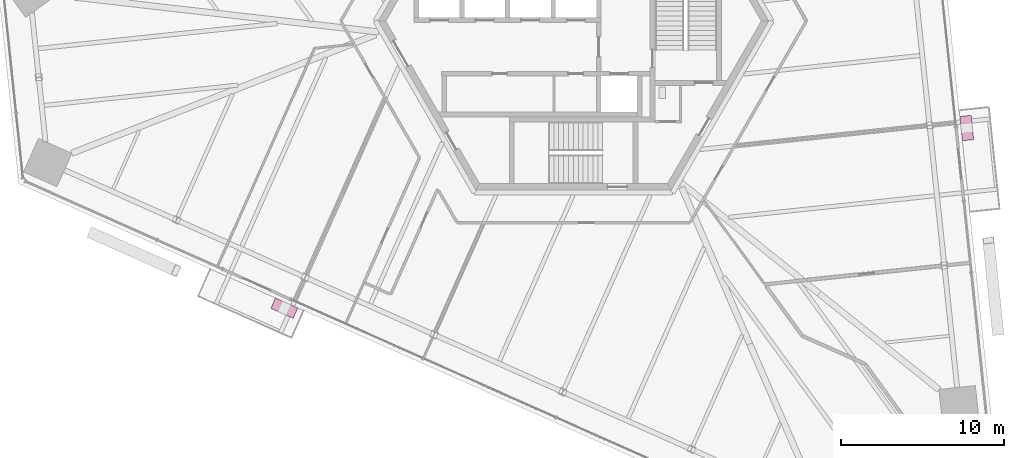
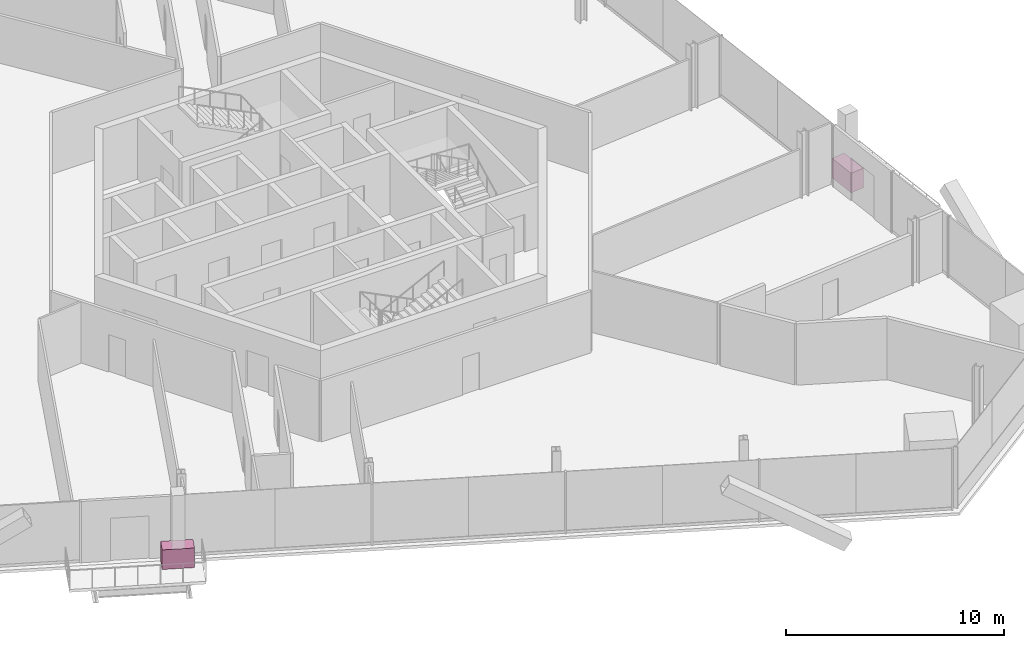
# One storey, part 16 of 17: 2 furniture elements.
"""IFC4 building model written with IfcOpenShell, lengths in metres."""

from ifc_helpers import new_model, si_unit, direction, frame, origin, origin_2d, place, context, subcontext, project, spatial, rectangle, extrude, source, transform, mapped, material, type_object, element, save


model = new_model("IFC4")

# Units and contexts
model_context = context("Model", 3, precision=1e-05, world=origin(), true_north=direction((0.0, 1.0)))
body_context = subcontext(model_context, "Body", "Model", "MODEL_VIEW")
ifc_project = project(units=[si_unit("LENGTHUNIT", "METRE"), si_unit("AREAUNIT", "SQUARE_METRE"), si_unit("VOLUMEUNIT", "CUBIC_METRE"), si_unit("PLANEANGLEUNIT", "RADIAN"), si_unit("MASSUNIT", "GRAM", prefix="KILO")], contexts=[model_context])

# Site, building, storey
site_placement = place(None, origin())
site = spatial("IfcSite", under=ifc_project, at=site_placement, CompositionType="ELEMENT")
building_placement = place(site_placement, origin())
building = spatial("IfcBuilding", under=site, at=building_placement, Name="Triune Harvest Tower", CompositionType="ELEMENT")
storey_placement = place(building_placement, frame((0.0, 0.0, 62.10009765625)))
storey = spatial("IfcBuildingStorey", under=building, at=storey_placement, Name="L14", CompositionType="ELEMENT", Elevation=62.10009765625)

# Furniture
ifc_material = material(Name="Concrete 40 MPa", Category="concrete")
furniture_type = type_object("IfcFurnitureType", Name="PB-1 structural planter", AssemblyPlace="SITE", PredefinedType="USERDEFINED", material=ifc_material)
shared_shape = source(origin(), body_context, "Body", "SweptSolid", [
    extrude(rectangle(XDim=1.5, YDim=0.699951171875, at=origin_2d()), origin(), (0.0, 0.0, 1.0), 1.10009765625),
])
for number, where, z_axis, x_axis, name in (
    (1, (24.167236328125, -6.57373046875, -0.000244140625), (0.0, 0.0, 1.0), (-0.104527536558, 0.994521992769, 0.0), "Planter B2-F1 L14.4b"),
    (2, (-17.776611328125, -17.642578125, -0.000244140625), (0.0, 0.0, 1.0), (0.913545207137, -0.406737205721, 0.0), "Planter B2-F5 L14.4b"),
):
    element("IfcFurniture", number, at=place(storey_placement, frame(where, z_axis=z_axis, x_axis=x_axis)), inside=storey, type_object=furniture_type, Name=name, ObjectType="PLANTER", PredefinedType="USERDEFINED", context=body_context, shape_type="MappedRepresentation", body=[
        mapped(shared_shape, transform((0.0, 0.0, 0.0), scale=1.0)),
    ])

save(model, "model.ifc")
